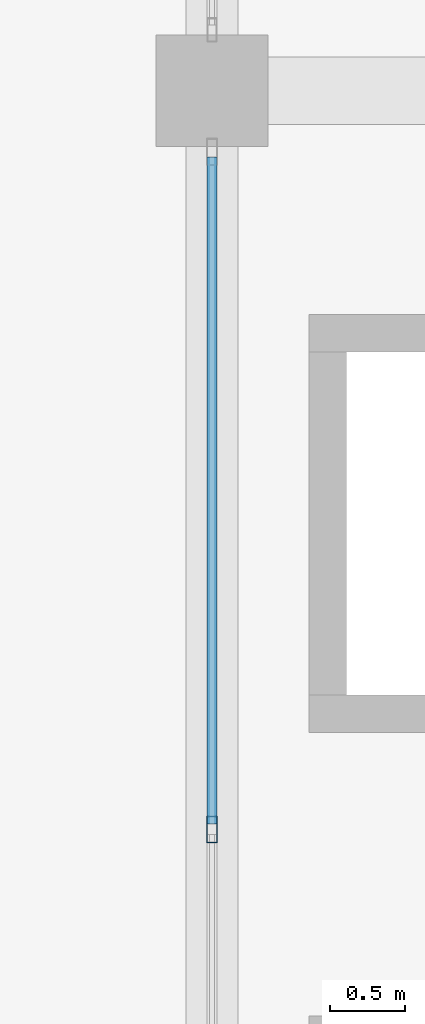
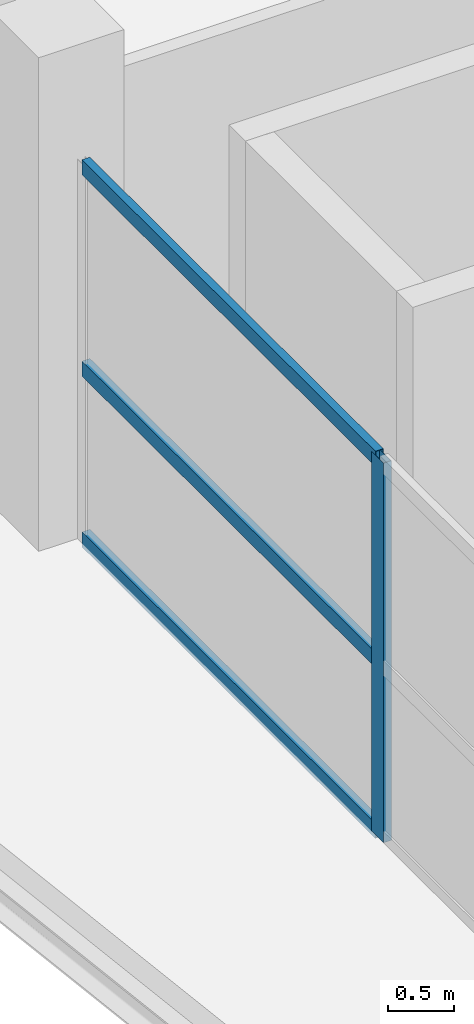
# One storey, part 8 of 55: 4 members, 1 element without a shape of its own.
"""IFC4 building model written with IfcOpenShell, lengths in metres."""

from ifc_helpers import new_model, si_unit, direction, frame, origin, origin_2d, place, context, subcontext, project, spatial, hollow_rectangle, extrude, material, layer, layer_set, material_profile, profile_set, type_object, element, aggregate, save


model = new_model("IFC4")

# Units and contexts
model_context = context("Model", 3, precision=1e-05, world=origin(), true_north=direction((0.0, 1.0)))
body_context = subcontext(model_context, "Body", "Model", "MODEL_VIEW")
ifc_project = project(units=[si_unit("LENGTHUNIT", "METRE"), si_unit("AREAUNIT", "SQUARE_METRE"), si_unit("VOLUMEUNIT", "CUBIC_METRE"), si_unit("PLANEANGLEUNIT", "RADIAN"), si_unit("MASSUNIT", "GRAM", prefix="KILO")], contexts=[model_context])

# Site, building, storey
site_placement = place(None, origin())
site = spatial("IfcSite", under=ifc_project, at=site_placement, CompositionType="ELEMENT")
building_placement = place(site_placement, origin())
building = spatial("IfcBuilding", under=site, at=building_placement, Name="Sillaruma Civic Art Gallery", CompositionType="ELEMENT")
storey_placement = place(building_placement, frame((0.0, 0.0, 37.739990234375)))
storey = spatial("IfcBuildingStorey", under=building, at=storey_placement, Name="L07", CompositionType="ELEMENT", Elevation=37.739990234375)

# Curtain wall, members
ifc_material = material(Name="Thermally Broken Extruded Aluminium 6063-T6", Category="aluminium")
ifc_layer = layer(ifc_material, 0.179931640625, Name="Thermally Broken Extruded Aluminium 6063-T6")
ifc_layer_set = layer_set([ifc_layer], Name="Thermally Broken Extruded Aluminium 6063-T6")
curtain_wall_type = type_object("IfcCurtainWallType", Name="CW-UNI-44", PredefinedType="NOTDEFINED", material=ifc_layer_set)
curtain_wall_placement = place(storey_placement, origin())
curtain_wall = element("IfcCurtainWall", 1, at=curtain_wall_placement, inside=storey, type_object=curtain_wall_type, Name="Unitised Curtain Wall CW-44 (CW-L07-W-3)", PredefinedType="NOTDEFINED")
ifc_material_profile_1 = material_profile(ifc_material, hollow_rectangle(XDim=0.070068359375, YDim=0.179931640625, WallThickness=0.00390625, at=origin_2d()), Name="CWM70x180")
ifc_profile_set_1 = profile_set([ifc_material_profile_1], Name="Thermally Broken Extruded Aluminium 6063-T6")
member_type_1 = type_object("IfcMemberType", Name="MEM-MUL-CWM70x180", PredefinedType="MULLION", material=ifc_profile_set_1)
member_1_placement = place(storey_placement, frame((62.0, 44.550048828125, 0.0), z_axis=(0.0, 0.0, 1.0), x_axis=(-1.0, 0.0, 0.0)))
member_1 = element("IfcMember", 2, at=member_1_placement, type_object=member_type_1, Name="CW-44 mullion 2", PredefinedType="MULLION", context=body_context, shape_type="SweptSolid", body=[
    extrude(hollow_rectangle(XDim=0.070068359375, YDim=0.179931640625, WallThickness=0.00390625, at=origin_2d()), origin(), (0.0, 0.0, 1.0), 3.530029296875),
])
ifc_material_profile_2 = material_profile(ifc_material, hollow_rectangle(XDim=0.070068359375, YDim=0.139892578125, WallThickness=0.00390625, at=origin_2d()), Name="CWT70x140")
ifc_profile_set_2 = profile_set([ifc_material_profile_2], Name="Thermally Broken Extruded Aluminium 6063-T6")
member_type_2 = type_object("IfcMemberType", Name="MEM-TRN-CWT70x140", PredefinedType="USERDEFINED", material=ifc_profile_set_2)
member_2_placement = place(storey_placement, frame((62.0, 44.5849609375, 0.034912109375), z_axis=(0.0, 1.0, 0.0), x_axis=(-1.0, 0.0, 0.0)))
member_2 = element("IfcMember", 3, at=member_2_placement, type_object=member_type_2, Name="CW-44 transom 2.1", ObjectType="TRANSOM", PredefinedType="USERDEFINED", context=body_context, shape_type="SweptSolid", body=[
    extrude(hollow_rectangle(XDim=0.070068359375, YDim=0.139892578125, WallThickness=0.00390625, at=origin_2d()), origin(), (0.0, 0.0, 1.0), 4.469970703125),
])
member_3_placement = place(storey_placement, frame((62.0, 44.5849609375, 1.623779296875), z_axis=(0.0, 1.0, 0.0), x_axis=(-1.0, 0.0, 0.0)))
member_3 = element("IfcMember", 4, at=member_3_placement, type_object=member_type_2, Name="CW-44 transom 2.2", ObjectType="TRANSOM", PredefinedType="USERDEFINED", context=body_context, shape_type="SweptSolid", body=[
    extrude(hollow_rectangle(XDim=0.070068359375, YDim=0.139892578125, WallThickness=0.00390625, at=origin_2d()), origin(), (0.0, 0.0, 1.0), 4.469970703125),
])
member_4_placement = place(storey_placement, frame((62.0, 44.5849609375, 3.4951171875), z_axis=(0.0, 1.0, 0.0), x_axis=(-1.0, 0.0, 0.0)))
member_4 = element("IfcMember", 5, at=member_4_placement, type_object=member_type_2, Name="CW-44 transom 2.3", ObjectType="TRANSOM", PredefinedType="USERDEFINED", context=body_context, shape_type="SweptSolid", body=[
    extrude(hollow_rectangle(XDim=0.070068359375, YDim=0.139892578125, WallThickness=0.00390625, at=origin_2d()), origin(), (0.0, 0.0, 1.0), 4.469970703125),
])
aggregate(curtain_wall, [member_1, member_2, member_3, member_4])

save(model, "model.ifc")
